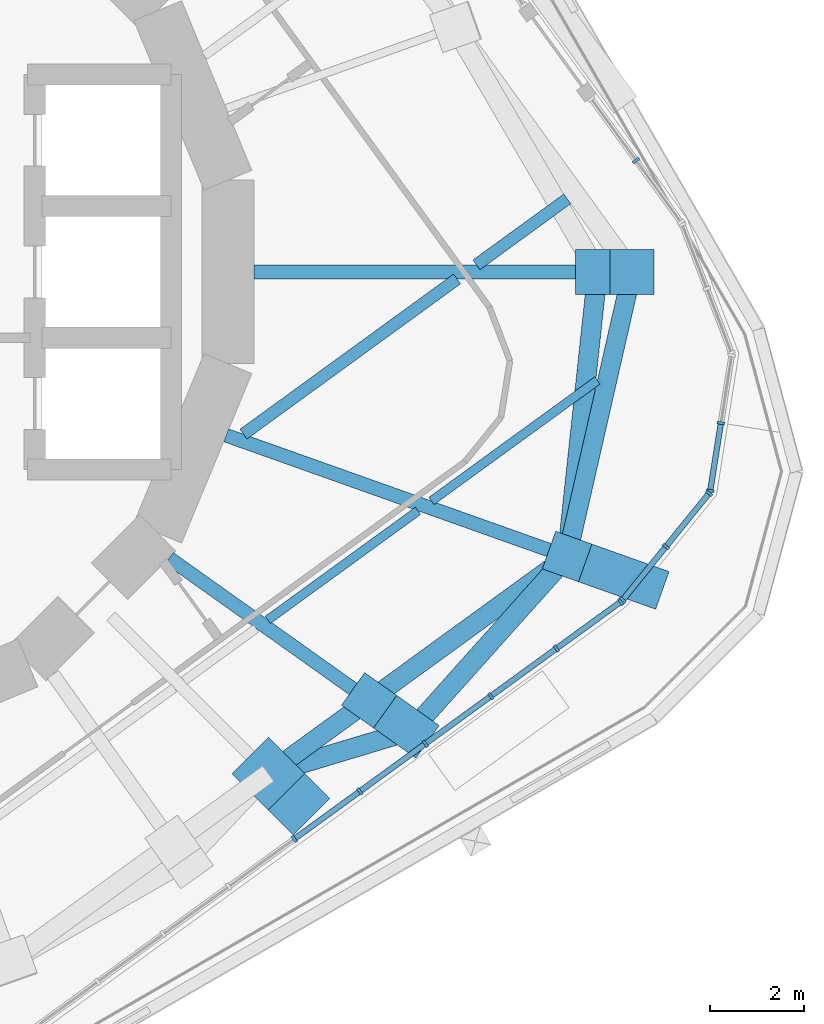
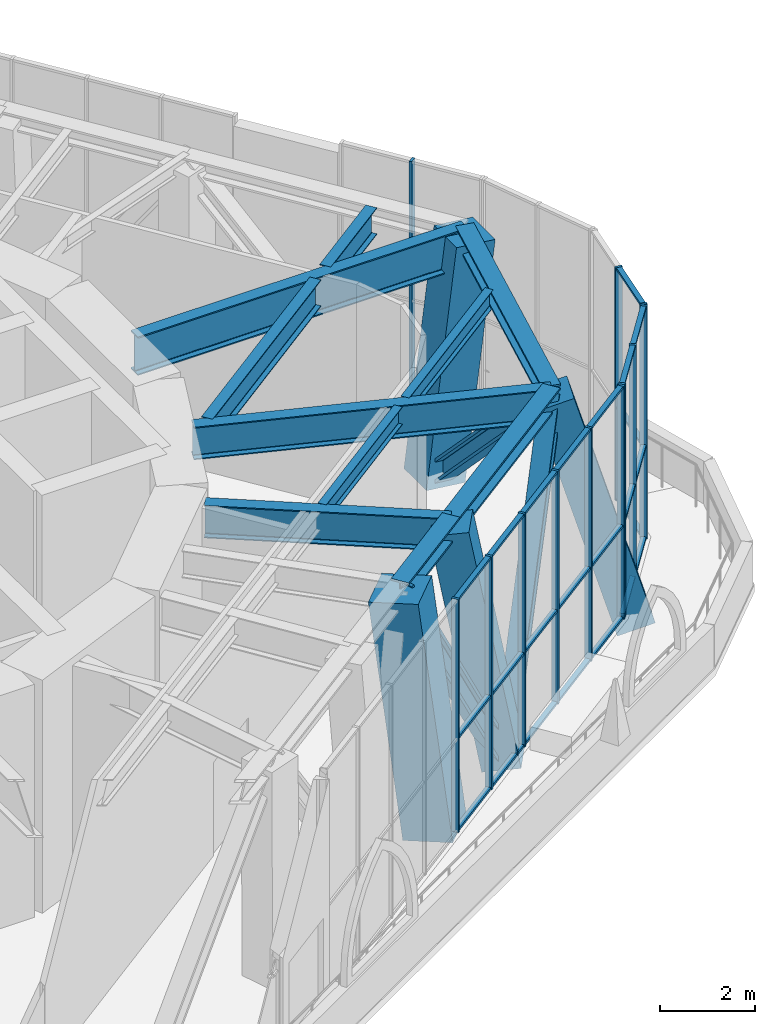
# One storey, part 6 of 18: 46 members, 7 beams, 4 elements without a shape of their own.
"""IFC4 building model written with IfcOpenShell, lengths in metres."""

import ifcopenshell
import ifcopenshell.guid

model = None  # the IFC model being written
_history = None  # IfcOwnerHistory: only IFC2X3 demands one
_inside = {}  # id of a spatial element -> (the spatial element, [elements in it])
_under = {}  # id of a project, library or spatial element -> (it, [spatial elements below it])
_declared = {}  # id of a project -> (the project, [libraries it declares])
_typed = {}  # id of a type object -> (the type object, [elements of that type])
_made_of = {}  # id of a material, layer set ... -> (it, [elements and type objects made of it])


def new_model(schema):
    """Start an empty IFC model of exactly this schema.

    Asked for "IFC4X3", IfcOpenShell would pick the latest addendum, in which some entities
    have other attributes; the version numbers below select the first issue.
    IFC2X3 requires an IfcOwnerHistory on every rooted entity: one is made here for all.
    """
    global model, _history
    if schema == "IFC4X3":
        model = ifcopenshell.file(schema_version=(4, 3, 0, 0))
    else:
        model = ifcopenshell.file(schema=schema)
    _inside.clear()
    _under.clear()
    _declared.clear()
    _typed.clear()
    _made_of.clear()
    _history = None
    if model.schema == "IFC2X3":
        org = make("IfcOrganization", Name="unknown")
        user = make(
            "IfcPersonAndOrganization",
            ThePerson=make("IfcPerson", FamilyName="unknown"),
            TheOrganization=org,
        )
        app = make(
            "IfcApplication",
            ApplicationDeveloper=org,
            Version="unknown",
            ApplicationFullName="unknown",
            ApplicationIdentifier="unknown",
        )
        _history = make(
            "IfcOwnerHistory",
            OwningUser=user,
            OwningApplication=app,
            ChangeAction="ADDED",
            CreationDate=0,
        )
    return model


def make(cls, **values):
    """One entity of the class cls with the attributes given. An attribute that is None is left unset."""
    return model.create_entity(
        cls, **{name: value for name, value in values.items() if value is not None}
    )


def rooted(cls, **values):
    """An entity with a GlobalId (a new one), such as an element, a storey or a relation."""
    return make(cls, GlobalId=ifcopenshell.guid.new(), OwnerHistory=_history, **values)


def si_unit(unit_type, name, prefix=None):
    """IfcSIUnit, for example si_unit("LENGTHUNIT", "METRE", prefix="MILLI")."""
    return make("IfcSIUnit", UnitType=unit_type, Prefix=prefix, Name=name)


def assignment(units):
    """IfcUnitAssignment: the units of a project."""
    return None if units is None else make("IfcUnitAssignment", Units=units)


def point(xyz):
    """IfcCartesianPoint."""
    return None if xyz is None else make("IfcCartesianPoint", Coordinates=xyz)


def direction(xyz):
    """IfcDirection."""
    return None if xyz is None else make("IfcDirection", DirectionRatios=xyz)


def frame(location, z_axis=None, x_axis=None):
    """IfcAxis2Placement3D, a coordinate frame: its origin and axes. An axis left out is left unset."""
    return make(
        "IfcAxis2Placement3D",
        Location=point(location),
        Axis=direction(z_axis),
        RefDirection=direction(x_axis),
    )


def frame_2d(location, x_axis=None):
    """IfcAxis2Placement2D, a coordinate frame in the plane: its origin and x axis."""
    return make(
        "IfcAxis2Placement2D", Location=point(location), RefDirection=direction(x_axis)
    )


def origin():
    """The frame at (0, 0, 0) with its axes left unset."""
    return frame((0.0, 0.0, 0.0))


def origin_2d():
    """The frame at (0, 0) in the plane with its x axis left unset."""
    return frame_2d((0.0, 0.0))


def place(relative_to, where):
    """IfcLocalPlacement: puts the frame where relative to a parent placement (None: the world)."""
    return make(
        "IfcLocalPlacement", PlacementRelTo=relative_to, RelativePlacement=where
    )


def context(
    kind, dimensions, precision=None, world=None, true_north=None, identifier=None
):
    """IfcGeometricRepresentationContext, for example the 3D "Model" context."""
    return make(
        "IfcGeometricRepresentationContext",
        ContextIdentifier=identifier,
        ContextType=kind,
        CoordinateSpaceDimension=dimensions,
        Precision=precision,
        WorldCoordinateSystem=world,
        TrueNorth=true_north,
    )


def subcontext(parent, identifier, kind, view, scale=None):
    """IfcGeometricRepresentationSubContext, for example "Body" below "Model"."""
    return make(
        "IfcGeometricRepresentationSubContext",
        ContextIdentifier=identifier,
        ContextType=kind,
        ParentContext=parent,
        TargetScale=scale,
        TargetView=view,
    )


def project(units=None, contexts=None):
    """IfcProject with its units and contexts."""
    return rooted(
        "IfcProject",
        Name="project",
        RepresentationContexts=contexts,
        UnitsInContext=assignment(units),
    )


def spatial(cls, under=None, at=None, **own):
    """A site, building, storey or space (cls), placed at a placement, below another one or the project."""
    s = rooted(cls, ObjectPlacement=at, **own)
    if under is not None:
        _under.setdefault(under.id(), (under, []))[1].append(s)
    return s


def profile(cls, at=None, kind="AREA", **sizes):
    """A parametric profile (cls). Its sizes go by their IFC names, for example OverallWidth=200.0."""
    return make(cls, ProfileType=kind, Position=at, **sizes)


def rectangle(**sizes):
    """IfcRectangleProfileDef."""
    return profile("IfcRectangleProfileDef", **sizes)


def i_section(**sizes):
    """IfcIShapeProfileDef."""
    return profile("IfcIShapeProfileDef", **sizes)


def extrude(swept, where, along, depth):
    """IfcExtrudedAreaSolid: the profile swept, set in the frame where, extruded along a direction by depth."""
    return make(
        "IfcExtrudedAreaSolid",
        SweptArea=swept,
        Position=where,
        ExtrudedDirection=direction(along),
        Depth=depth,
    )


def shape(context_of_items, identifier, shape_type, items):
    """IfcShapeRepresentation: the items that make up one representation, for example the "Body"."""
    return make(
        "IfcShapeRepresentation",
        ContextOfItems=context_of_items,
        RepresentationIdentifier=identifier,
        RepresentationType=shape_type,
        Items=items,
    )


def material(Name=None, Category=None):
    """IfcMaterial."""
    return make("IfcMaterial", Name=Name, Category=Category)


def material_profile(
    of_material, cross_section, Name=None, Category=None, Priority=None
):
    """IfcMaterialProfile: a cross section and its material."""
    return make(
        "IfcMaterialProfile",
        Name=Name,
        Material=of_material,
        Profile=cross_section,
        Priority=Priority,
        Category=Category,
    )


def profile_set(profiles, Name=None, composite=None):
    """IfcMaterialProfileSet."""
    return make(
        "IfcMaterialProfileSet",
        Name=Name,
        MaterialProfiles=profiles,
        CompositeProfile=composite,
    )


def made_of(thing, what):
    """Note that an element or type object is made of a material, layer set ...; save() writes the relation."""
    if what is not None:
        _made_of.setdefault(what.id(), (what, []))[1].append(thing)
    return thing


def type_object(cls, material=None, **own):
    """A type object (cls), such as IfcWallType, which elements share."""
    return made_of(rooted(cls, **own), material)


def element(
    cls,
    number,
    at=None,
    inside=None,
    cuts=None,
    type_object=None,
    material=None,
    context=None,
    identifier="Body",
    shape_type=None,
    held_by="IfcProductDefinitionShape",
    body=None,
    shapes=None,
    **own,
):
    """One element of the class cls, such as IfcWall. Its Tag is "e" and its number.

    at: its placement. inside: the storey or other place that contains it. cuts: it is an
    opening in that element (IfcRelVoidsElement). A single representation is given by context,
    identifier, shape_type and body (its items); several are given by shapes. held_by: the class
    of the entity that holds the representations. save() writes the other relations.
    """
    e = rooted(cls, Tag="e%d" % number, ObjectPlacement=at, **own)
    if body is not None:
        shapes = [shape(context, identifier, shape_type, body)]
    if shapes is not None:
        e.Representation = make(held_by, Representations=shapes)
    if inside is not None:
        _inside.setdefault(inside.id(), (inside, []))[1].append(e)
    if cuts is not None:
        rooted(
            "IfcRelVoidsElement", RelatingBuildingElement=cuts, RelatedOpeningElement=e
        )
    if type_object is not None:
        _typed.setdefault(type_object.id(), (type_object, []))[1].append(e)
    return made_of(e, material)


def aggregate(whole, parts):
    """IfcRelAggregates: a whole, such as a stair, and the parts it consists of."""
    return rooted("IfcRelAggregates", RelatingObject=whole, RelatedObjects=parts)


def save(model, path):
    """Write the relations noted so far, then the file.

    IfcRelAggregates (storeys below a building ...), IfcRelContainedInSpatialStructure (elements
    in a storey), IfcRelDefinesByType, IfcRelAssociatesMaterial and IfcRelDeclares: one each for
    every whole, place, type object, material and project.
    """
    for whole, parts in _under.values():
        aggregate(whole, parts)
    for where, things in _inside.values():
        rooted(
            "IfcRelContainedInSpatialStructure",
            RelatedElements=things,
            RelatingStructure=where,
        )
    for kind, things in _typed.values():
        rooted("IfcRelDefinesByType", RelatedObjects=things, RelatingType=kind)
    for what, things in _made_of.values():
        rooted("IfcRelAssociatesMaterial", RelatedObjects=things, RelatingMaterial=what)
    for by, libraries in _declared.values():
        rooted("IfcRelDeclares", RelatingContext=by, RelatedDefinitions=libraries)
    model.write(path)


model = new_model("IFC4")

# Units and contexts
model_context = context("Model", 3, precision=1e-05, world=origin(), true_north=direction((0.0, 1.0)))
body_context = subcontext(model_context, "Body", "Model", "MODEL_VIEW")
ifc_project = project(units=[si_unit("LENGTHUNIT", "METRE"), si_unit("AREAUNIT", "SQUARE_METRE"), si_unit("VOLUMEUNIT", "CUBIC_METRE"), si_unit("PLANEANGLEUNIT", "RADIAN"), si_unit("MASSUNIT", "GRAM", prefix="KILO")], contexts=[model_context])

# Site, building, storey
site_placement = place(None, origin())
site = spatial("IfcSite", under=ifc_project, at=site_placement, CompositionType="ELEMENT")
building_placement = place(site_placement, origin())
building = spatial("IfcBuilding", under=site, at=building_placement, Name="Nakasero Lantern House", CompositionType="ELEMENT")
storey_placement = place(building_placement, frame((0.0, 0.0, 257.75)))
storey = spatial("IfcBuildingStorey", under=building, at=storey_placement, Name="L63", CompositionType="ELEMENT", Elevation=257.75)

# Members
ifc_material_1 = material(Name="Steel S355", Category="steel")
ifc_material_profile_1 = material_profile(ifc_material_1, i_section(OverallWidth=0.406982421875, OverallDepth=0.4189453125, WebThickness=0.030517578125, FlangeThickness=0.04931640625, FilletRadius=0.01513671875, at=origin_2d()), Name="UC 356x406x393")
ifc_profile_set_1 = profile_set([ifc_material_profile_1], Name="Steel S355")
member_type_1 = type_object("IfcMemberType", Name="Belt truss chord UC 356x406x393", PredefinedType="CHORD", material=ifc_profile_set_1)
member_1_placement = place(storey_placement, frame((12.810791015625, -9.10986328125, 5.590576171875), z_axis=(0.809001814948, 0.587806144414, 0.0), x_axis=(-0.587806144414, 0.809001814948, 0.0)))
element("IfcMember", 1, at=member_1_placement, inside=storey, type_object=member_type_1, Name="Belt truss top chord T6 B7-C01T", PredefinedType="CHORD", context=body_context, shape_type="SweptSolid", body=[
    extrude(i_section(OverallWidth=0.406982421875, OverallDepth=0.4189453125, WebThickness=0.030517578125, FlangeThickness=0.04931640625, FilletRadius=0.01513671875, at=origin_2d()), origin(), (0.0, 0.0, 1.0), 5.202880859375),
])
member_2_placement = place(storey_placement, frame((17.02001953125, -6.051513671875, 5.590576171875), z_axis=(0.222316387753, 0.974974575944, 0.0), x_axis=(-0.974974575944, 0.222316387753, 0.0)))
element("IfcMember", 2, at=member_2_placement, inside=storey, type_object=member_type_1, Name="Belt truss top chord T6 B7-C02T", PredefinedType="CHORD", context=body_context, shape_type="SweptSolid", body=[
    extrude(i_section(OverallWidth=0.406982421875, OverallDepth=0.4189453125, WebThickness=0.030517578125, FlangeThickness=0.04931640625, FilletRadius=0.01513671875, at=origin_2d()), origin(), (0.0, 0.0, 1.0), 6.206787109375),
])
member_3_placement = place(storey_placement, frame((10.667236328125, -10.667236328125, 5.590576171875), z_axis=(0.809018895839, 0.587782635143, 0.0), x_axis=(-0.587782635143, 0.809018895839, 0.0)))
element("IfcMember", 3, at=member_3_placement, inside=storey, type_object=member_type_1, Name="Belt truss top chord T6 B7-C24T", PredefinedType="CHORD", context=body_context, shape_type="SweptSolid", body=[
    extrude(i_section(OverallWidth=0.406982421875, OverallDepth=0.4189453125, WebThickness=0.030517578125, FlangeThickness=0.04931640625, FilletRadius=0.01513671875, at=origin_2d()), origin(), (0.0, 0.0, 1.0), 2.649658203125),
])
ifc_material_2 = material(Name="Steel S355", Category="steel")
ifc_material_profile_2 = material_profile(ifc_material_2, i_section(OverallWidth=0.41845703125, OverallDepth=0.45556640625, WebThickness=0.0419921875, FlangeThickness=0.0673828125, FilletRadius=0.01513671875, at=origin_2d()), Name="UC 356x406x551")
ifc_profile_set_2 = profile_set([ifc_material_profile_2], Name="Steel S355")
member_type_2 = type_object("IfcMemberType", Name="Belt truss diagonal UC 356x406x551", PredefinedType="BRACE", material=ifc_profile_set_2)
member_4_placement = place(storey_placement, frame((13.711669921875, -9.75048828125, -0.409423828125), z_axis=(0.424889739641, 0.475057519393, 0.770577096997), x_axis=(-0.745367393129, 0.666653920157, 0.0)))
element("IfcMember", 4, at=member_4_placement, inside=storey, type_object=member_type_2, Name="Belt truss diagonal T6-01", PredefinedType="BRACE", context=body_context, shape_type="SweptSolid", body=[
    extrude(i_section(OverallWidth=0.41845703125, OverallDepth=0.45556640625, WebThickness=0.0419921875, FlangeThickness=0.0673828125, FilletRadius=0.01513671875, at=origin_2d()), origin(), (0.0, 0.0, 1.0), 7.786376953125),
])
member_5_placement = place(storey_placement, frame((17.02001953125, -6.051513671875, 5.590576171875), z_axis=(0.075701999968, 0.708085084226, -0.702057491021), x_axis=(-0.994333561066, 0.106305076727, 0.0)))
element("IfcMember", 5, at=member_5_placement, inside=storey, type_object=member_type_2, Name="Belt truss diagonal T6-02", PredefinedType="BRACE", context=body_context, shape_type="SweptSolid", body=[
    extrude(i_section(OverallWidth=0.41845703125, OverallDepth=0.45556640625, WebThickness=0.0419921875, FlangeThickness=0.0673828125, FilletRadius=0.01513671875, at=origin_2d()), origin(), (0.0, 0.0, 1.0), 8.54638671875),
])
member_6_placement = place(storey_placement, frame((10.667236328125, -10.667236328125, 5.590576171875), z_axis=(0.448346351729, 0.135007261487, -0.883605448284), x_axis=(-0.288333984177, 0.95752990218, 0.0)))
element("IfcMember", 6, at=member_6_placement, inside=storey, type_object=member_type_2, Name="Belt truss diagonal T6-24", PredefinedType="BRACE", context=body_context, shape_type="SweptSolid", body=[
    extrude(i_section(OverallWidth=0.41845703125, OverallDepth=0.45556640625, WebThickness=0.0419921875, FlangeThickness=0.0673828125, FilletRadius=0.01513671875, at=origin_2d()), origin(), (0.0, 0.0, 1.0), 6.790283203125),
])

# Beams
ifc_material_3 = material(Name="Steel S355", Category="steel")
ifc_material_profile_3 = material_profile(ifc_material_3, i_section(OverallWidth=0.19140625, OverallDepth=0.4599609375, WebThickness=0.010009765625, FlangeThickness=0.01611328125, FilletRadius=0.01025390625, at=origin_2d()), Name="UB 457x191x82")
ifc_profile_set_3 = profile_set([ifc_material_profile_3], Name="Steel S355")
beam_type_1 = type_object("IfcBeamType", Name="Infill beam UB 457x191x82", PredefinedType="JOIST", material=ifc_profile_set_3)
beam_1_placement = place(storey_placement, frame((10.6572265625, -7.39892578125, 5.570068359375), z_axis=(0.809024940909, 0.587774314671, 0.0), x_axis=(-0.587774314671, 0.809024940909, 0.0)))
element("IfcBeam", 7, at=beam_1_placement, inside=storey, type_object=beam_type_1, Name="Infill beam L64 03.6", PredefinedType="JOIST", context=body_context, shape_type="SweptSolid", body=[
    extrude(i_section(OverallWidth=0.19140625, OverallDepth=0.4599609375, WebThickness=0.010009765625, FlangeThickness=0.01611328125, FilletRadius=0.01025390625, at=origin_2d()), origin(), (0.0, 0.0, 1.0), 3.946044921875),
])
beam_2_placement = place(storey_placement, frame((14.136474609375, -4.87109375, 5.570068359375), z_axis=(0.809009518897, 0.587795541267, 0.0), x_axis=(-0.587795541267, 0.809009518897, 0.0)))
element("IfcBeam", 8, at=beam_2_placement, inside=storey, type_object=beam_type_1, Name="Infill beam L64 03.7", PredefinedType="JOIST", context=body_context, shape_type="SweptSolid", body=[
    extrude(i_section(OverallWidth=0.19140625, OverallDepth=0.4599609375, WebThickness=0.010009765625, FlangeThickness=0.01611328125, FilletRadius=0.01025390625, at=origin_2d()), origin(), (0.0, 0.0, 1.0), 4.361572265625),
])
ifc_material_4 = material(Name="Steel S355", Category="steel")
ifc_material_profile_4 = material_profile(ifc_material_4, i_section(OverallWidth=0.255859375, OverallDepth=0.69287109375, WebThickness=0.014404296875, FlangeThickness=0.023681640625, FilletRadius=0.01513671875, at=origin_2d()), Name="UB 686x254x170")
ifc_profile_set_4 = profile_set([ifc_material_profile_4], Name="Steel S355")
beam_type_2 = type_object("IfcBeamType", Name="Infill beam UB 686x254x170", PredefinedType="JOIST", material=ifc_profile_set_4)
beam_3_placement = place(storey_placement, frame((10.138427734375, -3.44970703125, 5.45361328125), z_axis=(0.808999293537, 0.587809614635, 0.0), x_axis=(-0.587809614635, 0.808999293537, 0.0)))
element("IfcBeam", 9, at=beam_3_placement, inside=storey, type_object=beam_type_2, Name="Infill beam L64 04.3", PredefinedType="JOIST", context=body_context, shape_type="SweptSolid", body=[
    extrude(i_section(OverallWidth=0.255859375, OverallDepth=0.69287109375, WebThickness=0.014404296875, FlangeThickness=0.023681640625, FilletRadius=0.01513671875, at=origin_2d()), origin(), (0.0, 0.0, 1.0), 5.61376953125),
])
beam_4_placement = place(storey_placement, frame((15.0927734375, 0.14990234375, 5.45361328125), z_axis=(0.808996779929, 0.587813074084, 0.0), x_axis=(-0.587813074084, 0.808996779929, 0.0)))
element("IfcBeam", 10, at=beam_4_placement, inside=storey, type_object=beam_type_2, Name="Infill beam L64 04.4", PredefinedType="JOIST", context=body_context, shape_type="SweptSolid", body=[
    extrude(i_section(OverallWidth=0.255859375, OverallDepth=0.69287109375, WebThickness=0.014404296875, FlangeThickness=0.023681640625, FilletRadius=0.01513671875, at=origin_2d()), origin(), (0.0, 0.0, 1.0), 2.388671875),
])

# Curtain wall, member
ifc_material_5 = material(Name="Aluminium 6063-T6 and glass", Category="aluminium")
curtain_wall_type = type_object("IfcCurtainWallType", Name="Sky lounge glazing CW-3", PredefinedType="USERDEFINED", material=ifc_material_5)
curtain_wall_1_placement = place(storey_placement, origin())
curtain_wall_1 = element("IfcCurtainWall", 11, at=curtain_wall_1_placement, inside=storey, type_object=curtain_wall_type, Name="Curtain wall CW-3 L63", ObjectType="STICK CURTAIN WALL", PredefinedType="USERDEFINED")
ifc_material_6 = material(Name="Aluminium 6063-T6", Category="aluminium")
ifc_material_profile_5 = material_profile(ifc_material_6, rectangle(XDim=0.06005859375, YDim=0.159912109375, at=origin_2d()), Name="CW-3 mullion 60x160")
ifc_profile_set_5 = profile_set([ifc_material_profile_5], Name="Aluminium 6063-T6")
member_type_3 = type_object("IfcMemberType", Name="Mullion CW-3", PredefinedType="MULLION", material=ifc_profile_set_5)
member_7_placement = place(storey_placement, frame((18.488037109375, 2.36962890625, 0.0), z_axis=(0.0, 0.0, 1.0), x_axis=(-0.587785252292, 0.809016994375, 0.0)))
member_7 = element("IfcMember", 12, at=member_7_placement, type_object=member_type_3, Name="CW-3 mullion 2", PredefinedType="MULLION", context=body_context, shape_type="SweptSolid", body=[
    extrude(rectangle(XDim=0.06005859375, YDim=0.159912109375, at=origin_2d()), origin(), (0.0, 0.0, 1.0), 6.0),
])
aggregate(curtain_wall_1, [member_7])

# Curtain wall, members
curtain_wall_2_placement = place(storey_placement, origin())
curtain_wall_2 = element("IfcCurtainWall", 13, at=curtain_wall_2_placement, inside=storey, type_object=curtain_wall_type, Name="Curtain wall CW-3 L63", ObjectType="STICK CURTAIN WALL", PredefinedType="USERDEFINED")
member_8_placement = place(storey_placement, frame((11.21923828125, -12.058349609375, 0.0), z_axis=(0.0, 0.0, 1.0), x_axis=(0.809016994375, 0.587785252292, 0.0)))
member_8 = element("IfcMember", 14, at=member_8_placement, type_object=member_type_3, Name="CW-3 mullion 5", PredefinedType="MULLION", context=body_context, shape_type="SweptSolid", body=[
    extrude(rectangle(XDim=0.06005859375, YDim=0.159912109375, at=origin_2d()), origin(), (0.0, 0.0, 1.0), 6.0),
])
member_9_placement = place(storey_placement, frame((12.612548828125, -11.046142578125, 0.0), z_axis=(0.0, 0.0, 1.0), x_axis=(0.809016994375, 0.587785252292, 0.0)))
member_9 = element("IfcMember", 15, at=member_9_placement, type_object=member_type_3, Name="CW-3 mullion 6", PredefinedType="MULLION", context=body_context, shape_type="SweptSolid", body=[
    extrude(rectangle(XDim=0.06005859375, YDim=0.159912109375, at=origin_2d()), origin(), (0.0, 0.0, 1.0), 6.0),
])
member_10_placement = place(storey_placement, frame((14.005859375, -10.03369140625, 0.0), z_axis=(0.0, 0.0, 1.0), x_axis=(0.809016994375, 0.587785252292, 0.0)))
member_10 = element("IfcMember", 16, at=member_10_placement, type_object=member_type_3, Name="CW-3 mullion 7", PredefinedType="MULLION", context=body_context, shape_type="SweptSolid", body=[
    extrude(rectangle(XDim=0.06005859375, YDim=0.159912109375, at=origin_2d()), origin(), (0.0, 0.0, 1.0), 6.0),
])
member_11_placement = place(storey_placement, frame((15.399169921875, -9.021484375, 0.0), z_axis=(0.0, 0.0, 1.0), x_axis=(0.809016994375, 0.587785252292, 0.0)))
member_11 = element("IfcMember", 17, at=member_11_placement, type_object=member_type_3, Name="CW-3 mullion 8", PredefinedType="MULLION", context=body_context, shape_type="SweptSolid", body=[
    extrude(rectangle(XDim=0.06005859375, YDim=0.159912109375, at=origin_2d()), origin(), (0.0, 0.0, 1.0), 6.0),
])
member_12_placement = place(storey_placement, frame((16.79248046875, -8.00927734375, 0.0), z_axis=(0.0, 0.0, 1.0), x_axis=(0.809016994375, 0.587785252292, 0.0)))
member_12 = element("IfcMember", 18, at=member_12_placement, type_object=member_type_3, Name="CW-3 mullion 9", PredefinedType="MULLION", context=body_context, shape_type="SweptSolid", body=[
    extrude(rectangle(XDim=0.06005859375, YDim=0.159912109375, at=origin_2d()), origin(), (0.0, 0.0, 1.0), 6.0),
])
member_13_placement = place(storey_placement, frame((18.16162109375, -7.0146484375, 0.0), z_axis=(0.0, 0.0, 1.0), x_axis=(0.809016994375, 0.587785252292, 0.0)))
member_13 = element("IfcMember", 19, at=member_13_placement, type_object=member_type_3, Name="CW-3 mullion 10", PredefinedType="MULLION", context=body_context, shape_type="SweptSolid", body=[
    extrude(rectangle(XDim=0.06005859375, YDim=0.159912109375, at=origin_2d()), origin(), (0.0, 0.0, 1.0), 6.0),
])

curtain_wall_3_placement = place(storey_placement, origin())
curtain_wall_3 = element("IfcCurtainWall", 20, at=curtain_wall_3_placement, inside=storey, type_object=curtain_wall_type, Name="Curtain wall CW-3 L63", ObjectType="STICK CURTAIN WALL", PredefinedType="USERDEFINED")
member_14_placement = place(storey_placement, frame((18.204833984375, -6.9736328125, 0.0), z_axis=(0.0, 0.0, 1.0), x_axis=(0.62932039105, 0.777145961457, 0.0)))
member_14 = element("IfcMember", 21, at=member_14_placement, type_object=member_type_3, Name="CW-3 mullion 1", PredefinedType="MULLION", context=body_context, shape_type="SweptSolid", body=[
    extrude(rectangle(XDim=0.06005859375, YDim=0.159912109375, at=origin_2d()), origin(), (0.0, 0.0, 1.0), 6.0),
])
member_15_placement = place(storey_placement, frame((19.122314453125, -5.84033203125, 0.0), z_axis=(0.0, 0.0, 1.0), x_axis=(0.62932039105, 0.777145961457, 0.0)))
member_15 = element("IfcMember", 22, at=member_15_placement, type_object=member_type_3, Name="CW-3 mullion 2", PredefinedType="MULLION", context=body_context, shape_type="SweptSolid", body=[
    extrude(rectangle(XDim=0.06005859375, YDim=0.159912109375, at=origin_2d()), origin(), (0.0, 0.0, 1.0), 6.0),
])
member_16_placement = place(storey_placement, frame((20.0400390625, -4.70703125, 0.0), z_axis=(0.0, 0.0, 1.0), x_axis=(0.62932039105, 0.777145961457, 0.0)))
member_16 = element("IfcMember", 23, at=member_16_placement, type_object=member_type_3, Name="CW-3 mullion 3", PredefinedType="MULLION", context=body_context, shape_type="SweptSolid", body=[
    extrude(rectangle(XDim=0.06005859375, YDim=0.159912109375, at=origin_2d()), origin(), (0.0, 0.0, 1.0), 6.0),
])

curtain_wall_4_placement = place(storey_placement, origin())
curtain_wall_4 = element("IfcCurtainWall", 24, at=curtain_wall_4_placement, inside=storey, type_object=curtain_wall_type, Name="Curtain wall CW-3 L63", ObjectType="STICK CURTAIN WALL", PredefinedType="USERDEFINED")
member_17_placement = place(storey_placement, frame((20.063720703125, -4.654052734375, 0.0), z_axis=(0.0, 0.0, 1.0), x_axis=(0.15643446504, 0.987688340595, 0.0)))
member_17 = element("IfcMember", 25, at=member_17_placement, type_object=member_type_3, Name="CW-3 mullion 1", PredefinedType="MULLION", context=body_context, shape_type="SweptSolid", body=[
    extrude(rectangle(XDim=0.06005859375, YDim=0.159912109375, at=origin_2d()), origin(), (0.0, 0.0, 1.0), 6.0),
])
member_18_placement = place(storey_placement, frame((20.291748046875, -3.2138671875, 0.0), z_axis=(0.0, 0.0, 1.0), x_axis=(0.15643446504, 0.987688340595, 0.0)))
member_18 = element("IfcMember", 26, at=member_18_placement, type_object=member_type_3, Name="CW-3 mullion 2", PredefinedType="MULLION", context=body_context, shape_type="SweptSolid", body=[
    extrude(rectangle(XDim=0.06005859375, YDim=0.159912109375, at=origin_2d()), origin(), (0.0, 0.0, 1.0), 6.0),
])

# Beams
ifc_material_7 = material(Name="Steel S355", Category="steel")
ifc_material_profile_6 = material_profile(ifc_material_7, i_section(OverallWidth=0.300048828125, OverallDepth=0.989990234375, WebThickness=0.0166015625, FlangeThickness=0.031005859375, FilletRadius=0.030029296875, at=origin_2d()), Name="UB 1016x305x272")
ifc_profile_set_6 = profile_set([ifc_material_profile_6], Name="Steel S355")
beam_type_3 = type_object("IfcBeamType", Name="Primary beam UB 1016x305x272, span 6 to 9 m", PredefinedType="BEAM", material=ifc_profile_set_6)
beam_5_placement = place(storey_placement, frame((18.39990234375, 0.0, 5.304931640625), z_axis=(-1.0, 0.0, 0.0), x_axis=(0.0, -1.0, 0.0)))
element("IfcBeam", 27, at=beam_5_placement, inside=storey, type_object=beam_type_3, Name="Primary beam L64 B7-C03T", PredefinedType="BEAM", context=body_context, shape_type="SweptSolid", body=[
    extrude(i_section(OverallWidth=0.300048828125, OverallDepth=0.989990234375, WebThickness=0.0166015625, FlangeThickness=0.031005859375, FilletRadius=0.030029296875, at=origin_2d()), origin(), (0.0, 0.0, 1.0), 8.0419921875),
])
ifc_material_8 = material(Name="Steel S355", Category="steel")
ifc_material_profile_7 = material_profile(ifc_material_8, i_section(OverallWidth=0.29248046875, OverallDepth=0.8408203125, WebThickness=0.0146484375, FlangeThickness=0.02685546875, FilletRadius=0.017822265625, at=origin_2d()), Name="UB 838x292x194")
ifc_profile_set_7 = profile_set([ifc_material_profile_7], Name="Steel S355")
beam_type_4 = type_object("IfcBeamType", Name="Primary beam UB 838x292x194, span 6 to 9 m", PredefinedType="BEAM", material=ifc_profile_set_7)
beam_6_placement = place(storey_placement, frame((17.02001953125, -6.051513671875, 5.379638671875), z_axis=(-0.942222036561, 0.334989005521, 0.0), x_axis=(-0.334989005521, -0.942222036561, 0.0)))
element("IfcBeam", 28, at=beam_6_placement, inside=storey, type_object=beam_type_4, Name="Primary beam L64 B7-C02T", PredefinedType="BEAM", context=body_context, shape_type="SweptSolid", body=[
    extrude(i_section(OverallWidth=0.29248046875, OverallDepth=0.8408203125, WebThickness=0.0146484375, FlangeThickness=0.02685546875, FilletRadius=0.017822265625, at=origin_2d()), origin(), (0.0, 0.0, 1.0), 7.6923828125),
])
ifc_material_9 = material(Name="Steel S355", Category="steel")
ifc_material_profile_8 = material_profile(ifc_material_9, i_section(OverallWidth=0.29248046875, OverallDepth=0.8408203125, WebThickness=0.0146484375, FlangeThickness=0.02685546875, FilletRadius=0.017822265625, at=origin_2d()), Name="UB 838x292x194")
ifc_profile_set_8 = profile_set([ifc_material_profile_8], Name="Steel S355")
beam_type_5 = type_object("IfcBeamType", Name="Primary beam UB 838x292x194, span to 6 m", PredefinedType="BEAM", material=ifc_profile_set_8)
beam_7_placement = place(storey_placement, frame((12.810791015625, -9.10986328125, 5.379638671875), z_axis=(-0.814971537688, 0.579500985986, 0.0), x_axis=(-0.579500985986, -0.814971537688, 0.0)))
element("IfcBeam", 29, at=beam_7_placement, inside=storey, type_object=beam_type_5, Name="Primary beam L64 B7-C01T", PredefinedType="BEAM", context=body_context, shape_type="SweptSolid", body=[
    extrude(i_section(OverallWidth=0.29248046875, OverallDepth=0.8408203125, WebThickness=0.0146484375, FlangeThickness=0.02685546875, FilletRadius=0.017822265625, at=origin_2d()), origin(), (0.0, 0.0, 1.0), 5.215087890625),
])

# Members
ifc_material_10 = material(Name="Concrete C45/55", Category="concrete")
ifc_material_profile_9 = material_profile(ifc_material_10, rectangle(XDim=1.10009765625, YDim=1.10009765625, at=origin_2d()), Name="RC 1100x1100")
ifc_profile_set_9 = profile_set([ifc_material_profile_9], Name="Concrete C45/55")
member_type_4 = type_object("IfcMemberType", Name="Raking column RC 1100x1100 C45/55", PredefinedType="STRUT", material=ifc_profile_set_9)
member_19_placement = place(storey_placement, frame((11.200439453125, -11.200439453125, -0.409423828125), z_axis=(-0.088173575657, 0.088173575657, 0.992194961241), x_axis=(-0.707106781187, -0.707106781187, 0.0)))
element("IfcMember", 30, at=member_19_placement, inside=storey, type_object=member_type_4, Name="Raking column B7-C24T L63", PredefinedType="STRUT", context=body_context, shape_type="SweptSolid", body=[
    extrude(rectangle(XDim=1.10009765625, YDim=1.10009765625, at=origin_2d()), origin(), (0.0, 0.0, 1.0), 6.047119140625),
])
ifc_material_11 = material(Name="Concrete C45/55", Category="concrete")
ifc_material_profile_10 = material_profile(ifc_material_11, rectangle(XDim=0.85009765625, YDim=0.85009765625, at=origin_2d()), Name="RC 850x850")
ifc_profile_set_10 = profile_set([ifc_material_profile_10], Name="Concrete C45/55")
member_type_5 = type_object("IfcMemberType", Name="Raking column RC 850x850 C45/55", PredefinedType="STRUT", material=ifc_profile_set_10)
member_20_placement = place(storey_placement, frame((13.711669921875, -9.75048828125, -0.409423828125), z_axis=(-0.147661291921, 0.105003585366, 0.983448214157), x_axis=(-0.57952378636, -0.814955324569, 0.0)))
element("IfcMember", 31, at=member_20_placement, inside=storey, type_object=member_type_5, Name="Raking column B7-C01T L63", PredefinedType="STRUT", context=body_context, shape_type="SweptSolid", body=[
    extrude(rectangle(XDim=0.85009765625, YDim=0.85009765625, at=origin_2d()), origin(), (0.0, 0.0, 1.0), 6.10107421875),
])
member_21_placement = place(storey_placement, frame((18.661376953125, -6.63525390625, -0.409423828125), z_axis=(-0.262710327558, 0.093431562277, 0.960340474501), x_axis=(-0.335084315865, -0.942188145362, 0.0)))
element("IfcMember", 32, at=member_21_placement, inside=storey, type_object=member_type_5, Name="Raking column B7-C02T L63", PredefinedType="STRUT", context=body_context, shape_type="SweptSolid", body=[
    extrude(rectangle(XDim=0.85009765625, YDim=0.85009765625, at=origin_2d()), origin(), (0.0, 0.0, 1.0), 6.247802734375),
])
ifc_material_12 = material(Name="Concrete C45/55", Category="concrete")
ifc_material_profile_11 = material_profile(ifc_material_12, rectangle(XDim=0.949951171875, YDim=0.949951171875, at=origin_2d()), Name="RC 950x950")
ifc_profile_set_11 = profile_set([ifc_material_profile_11], Name="Concrete C45/55")
member_type_6 = type_object("IfcMemberType", Name="Raking column RC 950x950 C45/55", PredefinedType="STRUT", material=ifc_profile_set_11)
member_22_placement = place(storey_placement, frame((17.6669921875, 0.0, -0.409423828125), z_axis=(0.121250450952, 0.0, 0.992621946233), x_axis=(0.0, 1.0, 0.0)))
element("IfcMember", 33, at=member_22_placement, inside=storey, type_object=member_type_6, Name="Raking column B7-C03T L63", PredefinedType="STRUT", context=body_context, shape_type="SweptSolid", body=[
    extrude(rectangle(XDim=0.949951171875, YDim=0.949951171875, at=origin_2d()), origin(), (0.0, 0.0, 1.0), 6.044677734375),
])

# Member
ifc_material_13 = material(Name="Aluminium 6063-T6", Category="aluminium")
ifc_material_profile_12 = material_profile(ifc_material_13, rectangle(XDim=0.06005859375, YDim=0.1201171875, at=origin_2d()), Name="CW-3 transom 60x120")
ifc_profile_set_12 = profile_set([ifc_material_profile_12], Name="Aluminium 6063-T6")
member_type_7 = type_object("IfcMemberType", Name="Transom CW-3", PredefinedType="USERDEFINED", material=ifc_profile_set_12)
member_23_placement = place(storey_placement, frame((11.24365234375, -12.040771484375, 0.030029296875), z_axis=(0.809002762913, 0.58780483972, 0.0), x_axis=(0.0, 0.0, 1.0)))
member_23 = element("IfcMember", 34, at=member_23_placement, type_object=member_type_7, Name="CW-3 transom 5.1", ObjectType="TRANSOM", PredefinedType="USERDEFINED", context=body_context, shape_type="SweptSolid", body=[
    extrude(rectangle(XDim=0.06005859375, YDim=0.1201171875, at=origin_2d()), origin(), (0.0, 0.0, 1.0), 1.662109375),
])

member_24_placement = place(storey_placement, frame((11.24365234375, -12.040771484375, 2.39990234375), z_axis=(0.809002762913, 0.58780483972, 0.0), x_axis=(0.0, 0.0, 1.0)))
member_24 = element("IfcMember", 35, at=member_24_placement, type_object=member_type_7, Name="CW-3 transom 5.2", ObjectType="TRANSOM", PredefinedType="USERDEFINED", context=body_context, shape_type="SweptSolid", body=[
    extrude(rectangle(XDim=0.06005859375, YDim=0.1201171875, at=origin_2d()), origin(), (0.0, 0.0, 1.0), 1.662109375),
])

member_25_placement = place(storey_placement, frame((11.24365234375, -12.040771484375, 5.969970703125), z_axis=(0.809002762913, 0.58780483972, 0.0), x_axis=(0.0, 0.0, 1.0)))
member_25 = element("IfcMember", 36, at=member_25_placement, type_object=member_type_7, Name="CW-3 transom 5.3", ObjectType="TRANSOM", PredefinedType="USERDEFINED", context=body_context, shape_type="SweptSolid", body=[
    extrude(rectangle(XDim=0.06005859375, YDim=0.1201171875, at=origin_2d()), origin(), (0.0, 0.0, 1.0), 1.662109375),
])

member_26_placement = place(storey_placement, frame((12.636962890625, -11.028564453125, 0.030029296875), z_axis=(0.809002762913, 0.58780483972, 0.0), x_axis=(0.0, 0.0, 1.0)))
member_26 = element("IfcMember", 37, at=member_26_placement, type_object=member_type_7, Name="CW-3 transom 6.1", ObjectType="TRANSOM", PredefinedType="USERDEFINED", context=body_context, shape_type="SweptSolid", body=[
    extrude(rectangle(XDim=0.06005859375, YDim=0.1201171875, at=origin_2d()), origin(), (0.0, 0.0, 1.0), 1.662109375),
])

member_27_placement = place(storey_placement, frame((12.636962890625, -11.028564453125, 2.39990234375), z_axis=(0.809002762913, 0.58780483972, 0.0), x_axis=(0.0, 0.0, 1.0)))
member_27 = element("IfcMember", 38, at=member_27_placement, type_object=member_type_7, Name="CW-3 transom 6.2", ObjectType="TRANSOM", PredefinedType="USERDEFINED", context=body_context, shape_type="SweptSolid", body=[
    extrude(rectangle(XDim=0.06005859375, YDim=0.1201171875, at=origin_2d()), origin(), (0.0, 0.0, 1.0), 1.662109375),
])

member_28_placement = place(storey_placement, frame((12.636962890625, -11.028564453125, 5.969970703125), z_axis=(0.809002762913, 0.58780483972, 0.0), x_axis=(0.0, 0.0, 1.0)))
member_28 = element("IfcMember", 39, at=member_28_placement, type_object=member_type_7, Name="CW-3 transom 6.3", ObjectType="TRANSOM", PredefinedType="USERDEFINED", context=body_context, shape_type="SweptSolid", body=[
    extrude(rectangle(XDim=0.06005859375, YDim=0.1201171875, at=origin_2d()), origin(), (0.0, 0.0, 1.0), 1.662109375),
])

member_29_placement = place(storey_placement, frame((14.0302734375, -10.01611328125, 0.030029296875), z_axis=(0.809002762913, 0.58780483972, 0.0), x_axis=(0.0, 0.0, 1.0)))
member_29 = element("IfcMember", 40, at=member_29_placement, type_object=member_type_7, Name="CW-3 transom 7.1", ObjectType="TRANSOM", PredefinedType="USERDEFINED", context=body_context, shape_type="SweptSolid", body=[
    extrude(rectangle(XDim=0.06005859375, YDim=0.1201171875, at=origin_2d()), origin(), (0.0, 0.0, 1.0), 1.662109375),
])

member_30_placement = place(storey_placement, frame((14.0302734375, -10.01611328125, 2.39990234375), z_axis=(0.809002762913, 0.58780483972, 0.0), x_axis=(0.0, 0.0, 1.0)))
member_30 = element("IfcMember", 41, at=member_30_placement, type_object=member_type_7, Name="CW-3 transom 7.2", ObjectType="TRANSOM", PredefinedType="USERDEFINED", context=body_context, shape_type="SweptSolid", body=[
    extrude(rectangle(XDim=0.06005859375, YDim=0.1201171875, at=origin_2d()), origin(), (0.0, 0.0, 1.0), 1.662109375),
])

member_31_placement = place(storey_placement, frame((14.0302734375, -10.01611328125, 5.969970703125), z_axis=(0.809002762913, 0.58780483972, 0.0), x_axis=(0.0, 0.0, 1.0)))
member_31 = element("IfcMember", 42, at=member_31_placement, type_object=member_type_7, Name="CW-3 transom 7.3", ObjectType="TRANSOM", PredefinedType="USERDEFINED", context=body_context, shape_type="SweptSolid", body=[
    extrude(rectangle(XDim=0.06005859375, YDim=0.1201171875, at=origin_2d()), origin(), (0.0, 0.0, 1.0), 1.662109375),
])

member_32_placement = place(storey_placement, frame((15.423583984375, -9.00390625, 0.030029296875), z_axis=(0.809002762913, 0.58780483972, 0.0), x_axis=(0.0, 0.0, 1.0)))
member_32 = element("IfcMember", 43, at=member_32_placement, type_object=member_type_7, Name="CW-3 transom 8.1", ObjectType="TRANSOM", PredefinedType="USERDEFINED", context=body_context, shape_type="SweptSolid", body=[
    extrude(rectangle(XDim=0.06005859375, YDim=0.1201171875, at=origin_2d()), origin(), (0.0, 0.0, 1.0), 1.662109375),
])

member_33_placement = place(storey_placement, frame((15.423583984375, -9.00390625, 2.39990234375), z_axis=(0.809002762913, 0.58780483972, 0.0), x_axis=(0.0, 0.0, 1.0)))
member_33 = element("IfcMember", 44, at=member_33_placement, type_object=member_type_7, Name="CW-3 transom 8.2", ObjectType="TRANSOM", PredefinedType="USERDEFINED", context=body_context, shape_type="SweptSolid", body=[
    extrude(rectangle(XDim=0.06005859375, YDim=0.1201171875, at=origin_2d()), origin(), (0.0, 0.0, 1.0), 1.662109375),
])

member_34_placement = place(storey_placement, frame((15.423583984375, -9.00390625, 5.969970703125), z_axis=(0.809002762913, 0.58780483972, 0.0), x_axis=(0.0, 0.0, 1.0)))
member_34 = element("IfcMember", 45, at=member_34_placement, type_object=member_type_7, Name="CW-3 transom 8.3", ObjectType="TRANSOM", PredefinedType="USERDEFINED", context=body_context, shape_type="SweptSolid", body=[
    extrude(rectangle(XDim=0.06005859375, YDim=0.1201171875, at=origin_2d()), origin(), (0.0, 0.0, 1.0), 1.662109375),
])

member_35_placement = place(storey_placement, frame((16.81689453125, -7.991455078125, 0.030029296875), z_axis=(0.809027095268, 0.587771349354, 0.0), x_axis=(0.0, 0.0, 1.0)))
member_35 = element("IfcMember", 46, at=member_35_placement, type_object=member_type_7, Name="CW-3 transom 9.1", ObjectType="TRANSOM", PredefinedType="USERDEFINED", context=body_context, shape_type="SweptSolid", body=[
    extrude(rectangle(XDim=0.06005859375, YDim=0.1201171875, at=origin_2d()), origin(), (0.0, 0.0, 1.0), 1.632080078125),
])

member_36_placement = place(storey_placement, frame((16.81689453125, -7.991455078125, 2.39990234375), z_axis=(0.809027095268, 0.587771349354, 0.0), x_axis=(0.0, 0.0, 1.0)))
member_36 = element("IfcMember", 47, at=member_36_placement, type_object=member_type_7, Name="CW-3 transom 9.2", ObjectType="TRANSOM", PredefinedType="USERDEFINED", context=body_context, shape_type="SweptSolid", body=[
    extrude(rectangle(XDim=0.06005859375, YDim=0.1201171875, at=origin_2d()), origin(), (0.0, 0.0, 1.0), 1.632080078125),
])

member_37_placement = place(storey_placement, frame((16.81689453125, -7.991455078125, 5.969970703125), z_axis=(0.809027095268, 0.587771349354, 0.0), x_axis=(0.0, 0.0, 1.0)))
member_37 = element("IfcMember", 48, at=member_37_placement, type_object=member_type_7, Name="CW-3 transom 9.3", ObjectType="TRANSOM", PredefinedType="USERDEFINED", context=body_context, shape_type="SweptSolid", body=[
    extrude(rectangle(XDim=0.06005859375, YDim=0.1201171875, at=origin_2d()), origin(), (0.0, 0.0, 1.0), 1.632080078125),
])

aggregate(curtain_wall_2, [member_8, member_9, member_10, member_11, member_12, member_13, member_23, member_24, member_25, member_26, member_27, member_28, member_29, member_30, member_31, member_32, member_33, member_34, member_35, member_36, member_37])

member_38_placement = place(storey_placement, frame((18.2236328125, -6.9501953125, 0.030029296875), z_axis=(0.629369016646, 0.777106582707, 0.0), x_axis=(0.0, 0.0, 1.0)))
member_38 = element("IfcMember", 49, at=member_38_placement, type_object=member_type_7, Name="CW-3 transom 1.1", ObjectType="TRANSOM", PredefinedType="USERDEFINED", context=body_context, shape_type="SweptSolid", body=[
    extrude(rectangle(XDim=0.06005859375, YDim=0.1201171875, at=origin_2d()), origin(), (0.0, 0.0, 1.0), 1.39794921875),
])

member_39_placement = place(storey_placement, frame((18.2236328125, -6.9501953125, 2.39990234375), z_axis=(0.629369016646, 0.777106582707, 0.0), x_axis=(0.0, 0.0, 1.0)))
member_39 = element("IfcMember", 50, at=member_39_placement, type_object=member_type_7, Name="CW-3 transom 1.2", ObjectType="TRANSOM", PredefinedType="USERDEFINED", context=body_context, shape_type="SweptSolid", body=[
    extrude(rectangle(XDim=0.06005859375, YDim=0.1201171875, at=origin_2d()), origin(), (0.0, 0.0, 1.0), 1.39794921875),
])

member_40_placement = place(storey_placement, frame((18.2236328125, -6.9501953125, 5.969970703125), z_axis=(0.629369016646, 0.777106582707, 0.0), x_axis=(0.0, 0.0, 1.0)))
member_40 = element("IfcMember", 51, at=member_40_placement, type_object=member_type_7, Name="CW-3 transom 1.3", ObjectType="TRANSOM", PredefinedType="USERDEFINED", context=body_context, shape_type="SweptSolid", body=[
    extrude(rectangle(XDim=0.06005859375, YDim=0.1201171875, at=origin_2d()), origin(), (0.0, 0.0, 1.0), 1.39794921875),
])

member_41_placement = place(storey_placement, frame((19.141357421875, -5.817138671875, 0.030029296875), z_axis=(0.629283614868, 0.777175740781, 0.0), x_axis=(0.0, 0.0, 1.0)))
member_41 = element("IfcMember", 52, at=member_41_placement, type_object=member_type_7, Name="CW-3 transom 2.1", ObjectType="TRANSOM", PredefinedType="USERDEFINED", context=body_context, shape_type="SweptSolid", body=[
    extrude(rectangle(XDim=0.06005859375, YDim=0.1201171875, at=origin_2d()), origin(), (0.0, 0.0, 1.0), 1.398193359375),
])

member_42_placement = place(storey_placement, frame((19.141357421875, -5.817138671875, 2.39990234375), z_axis=(0.629283614868, 0.777175740781, 0.0), x_axis=(0.0, 0.0, 1.0)))
member_42 = element("IfcMember", 53, at=member_42_placement, type_object=member_type_7, Name="CW-3 transom 2.2", ObjectType="TRANSOM", PredefinedType="USERDEFINED", context=body_context, shape_type="SweptSolid", body=[
    extrude(rectangle(XDim=0.06005859375, YDim=0.1201171875, at=origin_2d()), origin(), (0.0, 0.0, 1.0), 1.398193359375),
])

member_43_placement = place(storey_placement, frame((19.141357421875, -5.817138671875, 5.969970703125), z_axis=(0.629283614868, 0.777175740781, 0.0), x_axis=(0.0, 0.0, 1.0)))
member_43 = element("IfcMember", 54, at=member_43_placement, type_object=member_type_7, Name="CW-3 transom 2.3", ObjectType="TRANSOM", PredefinedType="USERDEFINED", context=body_context, shape_type="SweptSolid", body=[
    extrude(rectangle(XDim=0.06005859375, YDim=0.1201171875, at=origin_2d()), origin(), (0.0, 0.0, 1.0), 1.398193359375),
])

aggregate(curtain_wall_3, [member_14, member_15, member_16, member_38, member_39, member_40, member_41, member_42, member_43])

member_44_placement = place(storey_placement, frame((20.068359375, -4.62451171875, 0.030029296875), z_axis=(0.156464720495, 0.987683548127, 0.0), x_axis=(0.0, 0.0, 1.0)))
member_44 = element("IfcMember", 55, at=member_44_placement, type_object=member_type_7, Name="CW-3 transom 1.1", ObjectType="TRANSOM", PredefinedType="USERDEFINED", context=body_context, shape_type="SweptSolid", body=[
    extrude(rectangle(XDim=0.06005859375, YDim=0.1201171875, at=origin_2d()), origin(), (0.0, 0.0, 1.0), 1.398193359375),
])

member_45_placement = place(storey_placement, frame((20.068359375, -4.62451171875, 2.39990234375), z_axis=(0.156464720495, 0.987683548127, 0.0), x_axis=(0.0, 0.0, 1.0)))
member_45 = element("IfcMember", 56, at=member_45_placement, type_object=member_type_7, Name="CW-3 transom 1.2", ObjectType="TRANSOM", PredefinedType="USERDEFINED", context=body_context, shape_type="SweptSolid", body=[
    extrude(rectangle(XDim=0.06005859375, YDim=0.1201171875, at=origin_2d()), origin(), (0.0, 0.0, 1.0), 1.398193359375),
])

member_46_placement = place(storey_placement, frame((20.068359375, -4.62451171875, 5.969970703125), z_axis=(0.156464720495, 0.987683548127, 0.0), x_axis=(0.0, 0.0, 1.0)))
member_46 = element("IfcMember", 57, at=member_46_placement, type_object=member_type_7, Name="CW-3 transom 1.3", ObjectType="TRANSOM", PredefinedType="USERDEFINED", context=body_context, shape_type="SweptSolid", body=[
    extrude(rectangle(XDim=0.06005859375, YDim=0.1201171875, at=origin_2d()), origin(), (0.0, 0.0, 1.0), 1.398193359375),
])

aggregate(curtain_wall_4, [member_17, member_18, member_44, member_45, member_46])

save(model, "model.ifc")
